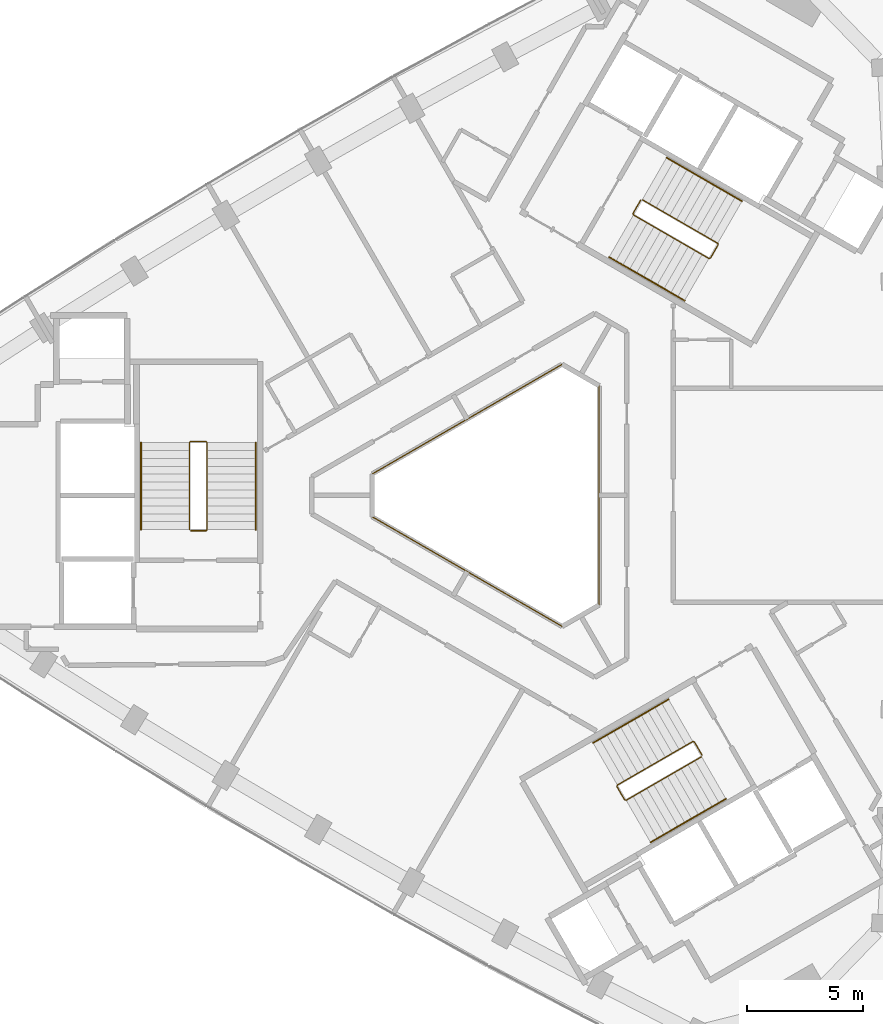
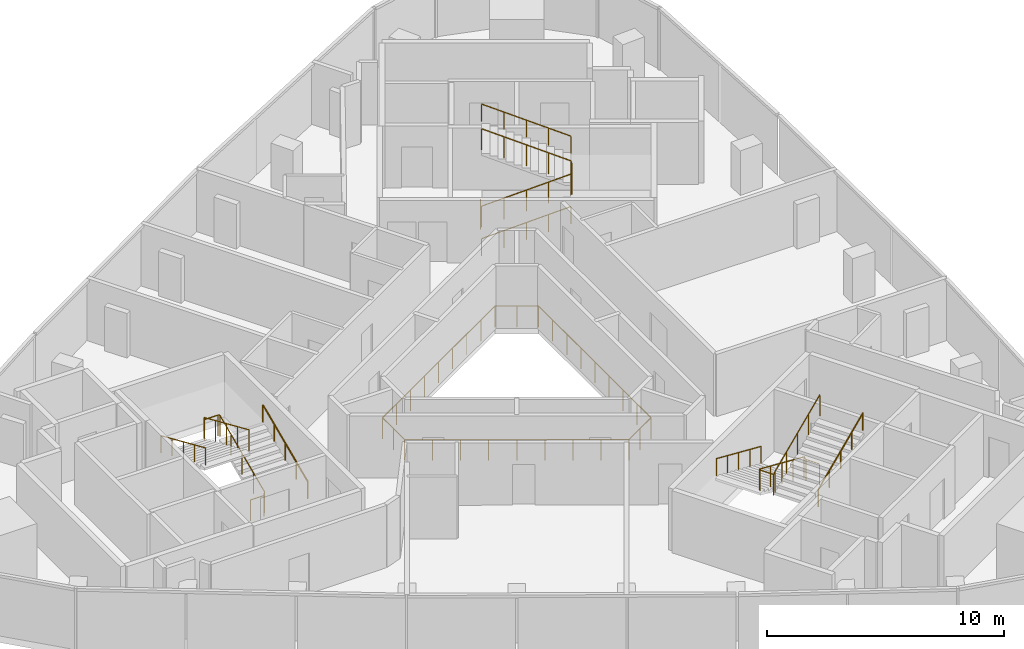
# One storey, part 11 of 11: 10 railings.
"""IFC4 building model written with IfcOpenShell, lengths in metres."""

from ifc_helpers import new_model, si_unit, direction, frame, origin, origin_2d, place, context, subcontext, project, spatial, circle, extrude, material, type_object, element, save


model = new_model("IFC4")

# Units and contexts
model_context = context("Model", 3, precision=1e-05, world=origin(), true_north=direction((0.0, 1.0)))
body_context = subcontext(model_context, "Body", "Model", "MODEL_VIEW")
ifc_project = project(units=[si_unit("LENGTHUNIT", "METRE"), si_unit("AREAUNIT", "SQUARE_METRE"), si_unit("VOLUMEUNIT", "CUBIC_METRE"), si_unit("PLANEANGLEUNIT", "RADIAN"), si_unit("MASSUNIT", "GRAM", prefix="KILO")], contexts=[model_context])

# Site, building, storey
site_placement = place(None, origin())
site = spatial("IfcSite", under=ifc_project, at=site_placement, CompositionType="ELEMENT")
building_placement = place(site_placement, origin())
building = spatial("IfcBuilding", under=site, at=building_placement, Name="Tamra Quay Hotel Tower", CompositionType="ELEMENT")
storey_placement = place(building_placement, frame((0.0, 0.0, 253.800048828125)))
storey = spatial("IfcBuildingStorey", under=building, at=storey_placement, Name="L64", CompositionType="ELEMENT", Elevation=253.800048828125)

# Railings
ifc_material_1 = material(Name="Guard atrium edge 1100")
railing_type_1 = type_object("IfcRailingType", Name="Guard atrium edge 1100", PredefinedType="GUARDRAIL", material=ifc_material_1)
railing_1_placement = place(storey_placement, frame((3.800048828125, -4.73388671875, 0.0)))
element("IfcRailing", 1, at=railing_1_placement, inside=storey, type_object=railing_type_1, Name="G-A", PredefinedType="GUARDRAIL", context=body_context, shape_type="SweptSolid", body=[
    extrude(circle(Radius=0.02392578125, at=origin_2d()), frame((0.0, 0.0, 1.076171875), z_axis=(-0.865965533559, -0.500103683937, 0.0), x_axis=(0.500103683937, -0.865965533559, 0.0)), (0.0, 0.0, 1.0), 1.84765625),
    extrude(circle(Radius=0.02392578125, at=origin_2d()), frame((-1.60009765625, -0.924072265625, 1.076171875), z_axis=(-0.86604174356, 0.49997169761, 0.0), x_axis=(-0.49997169761, -0.86604174356, 0.0)), (0.0, 0.0, 1.0), 9.46826171875),
    extrude(circle(Radius=0.02392578125, at=origin_2d()), frame((-9.800048828125, 3.809814453125, 1.076171875), z_axis=(0.0, 1.0, 0.0), x_axis=(-1.0, 0.0, 0.0)), (0.0, 0.0, 1.0), 1.84814453125),
    extrude(circle(Radius=0.02392578125, at=origin_2d()), frame((-9.800048828125, 5.657958984375, 1.076171875), z_axis=(0.86604174356, 0.49997169761, 0.0), x_axis=(-0.49997169761, 0.86604174356, 0.0)), (0.0, 0.0, 1.0), 9.46826171875),
    extrude(circle(Radius=0.02392578125, at=origin_2d()), frame((-1.60009765625, 10.391845703125, 1.076171875), z_axis=(0.865965533559, -0.500103683937, 0.0), x_axis=(0.500103683937, 0.865965533559, 0.0)), (0.0, 0.0, 1.0), 1.84765625),
    extrude(circle(Radius=0.02392578125, at=origin_2d()), frame((0.0, 9.4677734375, 1.076171875), z_axis=(0.0, -1.0, 0.0), x_axis=(1.0, 0.0, 0.0)), (0.0, 0.0, 1.0), 9.4677734375),
    extrude(circle(Radius=0.02099609375, at=origin_2d()), origin(), (0.0, 0.0, 1.0), 1.052001953125),
    extrude(circle(Radius=0.02099609375, at=origin_2d()), frame((-0.800048828125, -0.4619140625, 0.0)), (0.0, 0.0, 1.0), 1.052001953125),
    extrude(circle(Radius=0.02099609375, at=origin_2d()), frame((-1.60009765625, -0.924072265625, 0.0)), (0.0, 0.0, 1.0), 1.052001953125),
    extrude(circle(Radius=0.02099609375, at=origin_2d()), frame((-2.625, -0.332275390625, 0.0)), (0.0, 0.0, 1.0), 1.052001953125),
    extrude(circle(Radius=0.02099609375, at=origin_2d()), frame((-3.650146484375, 0.25927734375, 0.0)), (0.0, 0.0, 1.0), 1.052001953125),
    extrude(circle(Radius=0.02099609375, at=origin_2d()), frame((-4.675048828125, 0.85107421875, 0.0)), (0.0, 0.0, 1.0), 1.052001953125),
    extrude(circle(Radius=0.02099609375, at=origin_2d()), frame((-5.7001953125, 1.44287109375, 0.0)), (0.0, 0.0, 1.0), 1.052001953125),
    extrude(circle(Radius=0.02099609375, at=origin_2d()), frame((-6.72509765625, 2.03466796875, 0.0)), (0.0, 0.0, 1.0), 1.052001953125),
    extrude(circle(Radius=0.02099609375, at=origin_2d()), frame((-7.75, 2.62646484375, 0.0)), (0.0, 0.0, 1.0), 1.052001953125),
    extrude(circle(Radius=0.02099609375, at=origin_2d()), frame((-8.775146484375, 3.218017578125, 0.0)), (0.0, 0.0, 1.0), 1.052001953125),
    extrude(circle(Radius=0.02099609375, at=origin_2d()), frame((-9.800048828125, 3.809814453125, 0.0)), (0.0, 0.0, 1.0), 1.052001953125),
    extrude(circle(Radius=0.02099609375, at=origin_2d()), frame((-9.800048828125, 4.73388671875, 0.0)), (0.0, 0.0, 1.0), 1.052001953125),
    extrude(circle(Radius=0.02099609375, at=origin_2d()), frame((-9.800048828125, 5.657958984375, 0.0)), (0.0, 0.0, 1.0), 1.052001953125),
    extrude(circle(Radius=0.02099609375, at=origin_2d()), frame((-8.775146484375, 6.249755859375, 0.0)), (0.0, 0.0, 1.0), 1.052001953125),
    extrude(circle(Radius=0.02099609375, at=origin_2d()), frame((-7.75, 6.84130859375, 0.0)), (0.0, 0.0, 1.0), 1.052001953125),
    extrude(circle(Radius=0.02099609375, at=origin_2d()), frame((-6.72509765625, 7.43310546875, 0.0)), (0.0, 0.0, 1.0), 1.052001953125),
    extrude(circle(Radius=0.02099609375, at=origin_2d()), frame((-5.7001953125, 8.02490234375, 0.0)), (0.0, 0.0, 1.0), 1.052001953125),
    extrude(circle(Radius=0.02099609375, at=origin_2d()), frame((-4.675048828125, 8.61669921875, 0.0)), (0.0, 0.0, 1.0), 1.052001953125),
    extrude(circle(Radius=0.02099609375, at=origin_2d()), frame((-3.650146484375, 9.20849609375, 0.0)), (0.0, 0.0, 1.0), 1.052001953125),
    extrude(circle(Radius=0.02099609375, at=origin_2d()), frame((-2.625, 9.800048828125, 0.0)), (0.0, 0.0, 1.0), 1.052001953125),
    extrude(circle(Radius=0.02099609375, at=origin_2d()), frame((-1.60009765625, 10.391845703125, 0.0)), (0.0, 0.0, 1.0), 1.052001953125),
    extrude(circle(Radius=0.02099609375, at=origin_2d()), frame((-0.800048828125, 9.9296875, 0.0)), (0.0, 0.0, 1.0), 1.052001953125),
    extrude(circle(Radius=0.02099609375, at=origin_2d()), frame((0.0, 9.4677734375, 0.0)), (0.0, 0.0, 1.0), 1.052001953125),
    extrude(circle(Radius=0.02099609375, at=origin_2d()), frame((0.0, 8.2841796875, 0.0)), (0.0, 0.0, 1.0), 1.052001953125),
    extrude(circle(Radius=0.02099609375, at=origin_2d()), frame((0.0, 7.100830078125, 0.0)), (0.0, 0.0, 1.0), 1.052001953125),
    extrude(circle(Radius=0.02099609375, at=origin_2d()), frame((0.0, 5.91748046875, 0.0)), (0.0, 0.0, 1.0), 1.052001953125),
    extrude(circle(Radius=0.02099609375, at=origin_2d()), frame((0.0, 4.73388671875, 0.0)), (0.0, 0.0, 1.0), 1.052001953125),
    extrude(circle(Radius=0.02099609375, at=origin_2d()), frame((0.0, 3.55029296875, 0.0)), (0.0, 0.0, 1.0), 1.052001953125),
    extrude(circle(Radius=0.02099609375, at=origin_2d()), frame((0.0, 2.366943359375, 0.0)), (0.0, 0.0, 1.0), 1.052001953125),
    extrude(circle(Radius=0.02099609375, at=origin_2d()), frame((0.0, 1.18359375, 0.0)), (0.0, 0.0, 1.0), 1.052001953125),
])
ifc_material_2 = material(Name="Stair guard 1100")
railing_type_2 = type_object("IfcRailingType", Name="Stair guard 1100", PredefinedType="GUARDRAIL", material=ifc_material_2)
railing_2_placement = place(storey_placement, frame((-13.84130859375, -1.530029296875, 0.0)))
element("IfcRailing", 2, at=railing_2_placement, inside=storey, type_object=railing_type_2, Name="GR", PredefinedType="GUARDRAIL", context=body_context, shape_type="SweptSolid", body=[
    extrude(circle(Radius=0.02392578125, at=origin_2d()), frame((0.0, 0.0, 1.076171875), z_axis=(1.0, 0.0, 0.0), x_axis=(0.0, 1.0, 0.0)), (0.0, 0.0, 1.0), 0.658935546875),
    extrude(circle(Radius=0.02392578125, at=origin_2d()), frame((0.658935546875, 0.0, 1.076171875), z_axis=(0.301912943143, 0.301912943143, 0.904266083366), x_axis=(-0.707106781187, 0.707106781187, 0.0)), (0.0, 0.0, 1.0), 0.165771484375),
    extrude(circle(Radius=0.02392578125, at=origin_2d()), frame((0.708984375, 0.050048828125, 1.22607421875), z_axis=(0.0, 0.915773634228, 0.401694723457), x_axis=(-1.0, 0.0, 0.0)), (0.0, 0.0, 1.0), 4.10791015625),
    extrude(circle(Radius=0.02392578125, at=origin_2d()), frame((0.708984375, 3.81201171875, 2.8759765625), z_axis=(-0.708833529934, 0.705375805398, 0.0), x_axis=(-0.705375805398, -0.708833529934, 0.0)), (0.0, 0.0, 1.0), 0.070556640625),
    extrude(circle(Radius=0.02392578125, at=origin_2d()), frame((0.658935546875, 3.86181640625, 2.8759765625), z_axis=(-1.0, 0.0, 0.0), x_axis=(0.0, -1.0, 0.0)), (0.0, 0.0, 1.0), 0.658935546875),
    extrude(circle(Radius=0.02392578125, at=origin_2d()), frame((0.0, 3.86181640625, 2.8759765625), z_axis=(-0.302046947789, -0.300573548044, 0.904667443621), x_axis=(0.705375805398, -0.708833529934, 0.0)), (0.0, 0.0, 1.0), 0.165771484375),
    extrude(circle(Radius=0.02392578125, at=origin_2d()), frame((-0.050048828125, 3.81201171875, 3.02587890625), z_axis=(0.0, -0.915795495799, 0.401644880304), x_axis=(1.0, 0.0, 0.0)), (0.0, 0.0, 1.0), 4.10791015625),
    extrude(circle(Radius=0.02099609375, at=origin_2d()), origin(), (0.0, 0.0, 1.0), 1.052001953125),
    extrude(circle(Radius=0.02099609375, at=origin_2d()), frame((0.658935546875, 0.0, 0.0)), (0.0, 0.0, 1.0), 1.052001953125),
    extrude(circle(Radius=0.02099609375, at=origin_2d()), frame((0.708984375, 0.050048828125, 0.14990234375)), (0.0, 0.0, 1.0), 1.052001953125),
    extrude(circle(Radius=0.02099609375, at=origin_2d()), frame((0.708984375, 0.990478515625, 0.5625)), (0.0, 0.0, 1.0), 1.052001953125),
    extrude(circle(Radius=0.02099609375, at=origin_2d()), frame((0.708984375, 1.93115234375, 0.97509765625)), (0.0, 0.0, 1.0), 1.052001953125),
    extrude(circle(Radius=0.02099609375, at=origin_2d()), frame((0.708984375, 2.87158203125, 1.387451171875)), (0.0, 0.0, 1.0), 1.052001953125),
    extrude(circle(Radius=0.02099609375, at=origin_2d()), frame((0.708984375, 3.81201171875, 1.800048828125)), (0.0, 0.0, 1.0), 1.052001953125),
    extrude(circle(Radius=0.02099609375, at=origin_2d()), frame((0.658935546875, 3.86181640625, 1.800048828125)), (0.0, 0.0, 1.0), 1.052001953125),
    extrude(circle(Radius=0.02099609375, at=origin_2d()), frame((0.0, 3.86181640625, 1.800048828125)), (0.0, 0.0, 1.0), 1.052001953125),
    extrude(circle(Radius=0.02099609375, at=origin_2d()), frame((-0.050048828125, 3.81201171875, 1.949951171875)), (0.0, 0.0, 1.0), 1.052001953125),
    extrude(circle(Radius=0.02099609375, at=origin_2d()), frame((-0.050048828125, 2.87158203125, 2.3623046875)), (0.0, 0.0, 1.0), 1.052001953125),
    extrude(circle(Radius=0.02099609375, at=origin_2d()), frame((-0.050048828125, 1.93115234375, 2.77490234375)), (0.0, 0.0, 1.0), 1.052001953125),
    extrude(circle(Radius=0.02099609375, at=origin_2d()), frame((-0.050048828125, 0.990478515625, 3.1875)), (0.0, 0.0, 1.0), 1.052001953125),
    extrude(circle(Radius=0.02099609375, at=origin_2d()), frame((-0.050048828125, 0.050048828125, 3.599853515625)), (0.0, 0.0, 1.0), 1.052001953125),
])
railing_3_placement = place(storey_placement, frame((5.595458984375, 12.751953125, 0.0)))
element("IfcRailing", 3, at=railing_3_placement, inside=storey, type_object=railing_type_2, Name="GR", PredefinedType="GUARDRAIL", context=body_context, shape_type="SweptSolid", body=[
    extrude(circle(Radius=0.02392578125, at=origin_2d()), frame((0.0, 0.0, 1.076171875), z_axis=(-0.499765215335, -0.866160914346, 0.0), x_axis=(0.866160914346, -0.499765215335, 0.0)), (0.0, 0.0, 1.0), 0.658935546875),
    extrude(circle(Radius=0.02392578125, at=origin_2d()), frame((-0.329345703125, -0.57080078125, 1.076171875), z_axis=(0.110525977783, -0.411156637351, 0.904839338113), x_axis=(0.965715946433, 0.259601060869, 0.0)), (0.0, 0.0, 1.0), 0.165771484375),
    extrude(circle(Radius=0.02392578125, at=origin_2d()), frame((-0.31103515625, -0.638916015625, 1.22607421875), z_axis=(0.79305953016, -0.457922937641, 0.401700342053), x_axis=(0.500040788363, 0.866001853331, 0.0)), (0.0, 0.0, 1.0), 4.10791015625),
    extrude(circle(Radius=0.02392578125, at=origin_2d()), frame((2.94677734375, -2.52001953125, 2.8759765625), z_axis=(0.965948051503, 0.258736085224, 0.0), x_axis=(-0.258736085224, 0.965948051503, 0.0)), (0.0, 0.0, 1.0), 0.07080078125),
    extrude(circle(Radius=0.02392578125, at=origin_2d()), frame((3.01513671875, -2.501708984375, 2.8759765625), z_axis=(0.500043078269, 0.866000531106, 0.0), x_axis=(-0.866000531106, 0.500043078269, 0.0)), (0.0, 0.0, 1.0), 0.6591796875),
    extrude(circle(Radius=0.02392578125, at=origin_2d()), frame((3.3447265625, -1.930908203125, 2.8759765625), z_axis=(-0.110525977783, 0.411156637351, 0.904839338113), x_axis=(-0.965715946433, -0.259601060869, 0.0)), (0.0, 0.0, 1.0), 0.165771484375),
    extrude(circle(Radius=0.02392578125, at=origin_2d()), frame((3.326416015625, -1.86279296875, 3.02587890625), z_axis=(-0.793100512587, 0.457912285461, 0.401631567183), x_axis=(-0.500012686397, -0.866018079166, 0.0)), (0.0, 0.0, 1.0), 4.10791015625),
    extrude(circle(Radius=0.02099609375, at=origin_2d()), origin(), (0.0, 0.0, 1.0), 1.052001953125),
    extrude(circle(Radius=0.02099609375, at=origin_2d()), frame((-0.329345703125, -0.57080078125, 0.0)), (0.0, 0.0, 1.0), 1.052001953125),
    extrude(circle(Radius=0.02099609375, at=origin_2d()), frame((-0.31103515625, -0.638916015625, 0.14990234375)), (0.0, 0.0, 1.0), 1.052001953125),
    extrude(circle(Radius=0.02099609375, at=origin_2d()), frame((0.50341796875, -1.109130859375, 0.5625)), (0.0, 0.0, 1.0), 1.052001953125),
    extrude(circle(Radius=0.02099609375, at=origin_2d()), frame((1.31787109375, -1.57958984375, 0.97509765625)), (0.0, 0.0, 1.0), 1.052001953125),
    extrude(circle(Radius=0.02099609375, at=origin_2d()), frame((2.13232421875, -2.0498046875, 1.387451171875)), (0.0, 0.0, 1.0), 1.052001953125),
    extrude(circle(Radius=0.02099609375, at=origin_2d()), frame((2.94677734375, -2.52001953125, 1.800048828125)), (0.0, 0.0, 1.0), 1.052001953125),
    extrude(circle(Radius=0.02099609375, at=origin_2d()), frame((3.01513671875, -2.501708984375, 1.800048828125)), (0.0, 0.0, 1.0), 1.052001953125),
    extrude(circle(Radius=0.02099609375, at=origin_2d()), frame((3.3447265625, -1.930908203125, 1.800048828125)), (0.0, 0.0, 1.0), 1.052001953125),
    extrude(circle(Radius=0.02099609375, at=origin_2d()), frame((3.326416015625, -1.86279296875, 1.949951171875)), (0.0, 0.0, 1.0), 1.052001953125),
    extrude(circle(Radius=0.02099609375, at=origin_2d()), frame((2.511962890625, -1.392578125, 2.3623046875)), (0.0, 0.0, 1.0), 1.052001953125),
    extrude(circle(Radius=0.02099609375, at=origin_2d()), frame((1.697265625, -0.92236328125, 2.77490234375)), (0.0, 0.0, 1.0), 1.052001953125),
    extrude(circle(Radius=0.02099609375, at=origin_2d()), frame((0.8828125, -0.451904296875, 3.1875)), (0.0, 0.0, 1.0), 1.052001953125),
    extrude(circle(Radius=0.02099609375, at=origin_2d()), frame((0.068359375, 0.018310546875, 3.599853515625)), (0.0, 0.0, 1.0), 1.052001953125),
])
railing_4_placement = place(storey_placement, frame((8.245849609375, -11.221923828125, 0.0)))
element("IfcRailing", 4, at=railing_4_placement, inside=storey, type_object=railing_type_2, Name="GR", PredefinedType="GUARDRAIL", context=body_context, shape_type="SweptSolid", body=[
    extrude(circle(Radius=0.02392578125, at=origin_2d()), frame((0.0, 0.0, 1.076171875), z_axis=(-0.500043078269, 0.866000531106, 0.0), x_axis=(-0.866000531106, -0.500043078269, 0.0)), (0.0, 0.0, 1.0), 0.6591796875),
    extrude(circle(Radius=0.02392578125, at=origin_2d()), frame((-0.32958984375, 0.57080078125, 1.076171875), z_axis=(-0.41238007866, 0.110458949641, 0.904290601062), x_axis=(-0.258736085224, -0.965948051503, 0.0)), (0.0, 0.0, 1.0), 0.165771484375),
    extrude(circle(Radius=0.02392578125, at=origin_2d()), frame((-0.39794921875, 0.589111328125, 1.22607421875), z_axis=(-0.793081581205, -0.457901355053, 0.401681409319), x_axis=(0.500012686397, -0.866018079166, 0.0)), (0.0, 0.0, 1.0), 4.108154296875),
    extrude(circle(Radius=0.02392578125, at=origin_2d()), frame((-3.656005859375, -1.2919921875, 2.8759765625), z_axis=(-0.256368644879, -0.966579080015, 0.0), x_axis=(0.966579080015, -0.256368644879, 0.0)), (0.0, 0.0, 1.0), 0.070556640625),
    extrude(circle(Radius=0.02392578125, at=origin_2d()), frame((-3.674072265625, -1.360107421875, 2.8759765625), z_axis=(0.499765215335, -0.866160914346, 0.0), x_axis=(0.866160914346, 0.499765215335, 0.0)), (0.0, 0.0, 1.0), 0.658935546875),
    extrude(circle(Radius=0.02392578125, at=origin_2d()), frame((-3.3447265625, -1.930908203125, 2.8759765625), z_axis=(0.41238007866, -0.110458949641, 0.904290601062), x_axis=(0.258736085224, 0.965948051503, 0.0)), (0.0, 0.0, 1.0), 0.165771484375),
    extrude(circle(Radius=0.02392578125, at=origin_2d()), frame((-3.2763671875, -1.94921875, 3.02587890625), z_axis=(0.793100512587, 0.457912285461, 0.401631567183), x_axis=(-0.500012686397, 0.866018079166, 0.0)), (0.0, 0.0, 1.0), 4.10791015625),
    extrude(circle(Radius=0.02099609375, at=origin_2d()), origin(), (0.0, 0.0, 1.0), 1.052001953125),
    extrude(circle(Radius=0.02099609375, at=origin_2d()), frame((-0.32958984375, 0.57080078125, 0.0)), (0.0, 0.0, 1.0), 1.052001953125),
    extrude(circle(Radius=0.02099609375, at=origin_2d()), frame((-0.39794921875, 0.589111328125, 0.14990234375)), (0.0, 0.0, 1.0), 1.052001953125),
    extrude(circle(Radius=0.02099609375, at=origin_2d()), frame((-1.21240234375, 0.118896484375, 0.5625)), (0.0, 0.0, 1.0), 1.052001953125),
    extrude(circle(Radius=0.02099609375, at=origin_2d()), frame((-2.02685546875, -0.3515625, 0.97509765625)), (0.0, 0.0, 1.0), 1.052001953125),
    extrude(circle(Radius=0.02099609375, at=origin_2d()), frame((-2.841552734375, -0.82177734375, 1.387451171875)), (0.0, 0.0, 1.0), 1.052001953125),
    extrude(circle(Radius=0.02099609375, at=origin_2d()), frame((-3.656005859375, -1.2919921875, 1.800048828125)), (0.0, 0.0, 1.0), 1.052001953125),
    extrude(circle(Radius=0.02099609375, at=origin_2d()), frame((-3.674072265625, -1.360107421875, 1.800048828125)), (0.0, 0.0, 1.0), 1.052001953125),
    extrude(circle(Radius=0.02099609375, at=origin_2d()), frame((-3.3447265625, -1.930908203125, 1.800048828125)), (0.0, 0.0, 1.0), 1.052001953125),
    extrude(circle(Radius=0.02099609375, at=origin_2d()), frame((-3.2763671875, -1.94921875, 1.949951171875)), (0.0, 0.0, 1.0), 1.052001953125),
    extrude(circle(Radius=0.02099609375, at=origin_2d()), frame((-2.4619140625, -1.47900390625, 2.3623046875)), (0.0, 0.0, 1.0), 1.052001953125),
    extrude(circle(Radius=0.02099609375, at=origin_2d()), frame((-1.6474609375, -1.0087890625, 2.77490234375)), (0.0, 0.0, 1.0), 1.052001953125),
    extrude(circle(Radius=0.02099609375, at=origin_2d()), frame((-0.832763671875, -0.538330078125, 3.1875)), (0.0, 0.0, 1.0), 1.052001953125),
    extrude(circle(Radius=0.02099609375, at=origin_2d()), frame((-0.018310546875, -0.068115234375, 3.599853515625)), (0.0, 0.0, 1.0), 1.052001953125),
])
ifc_material_3 = material(Name="Stair handrail 900")
railing_type_3 = type_object("IfcRailingType", Name="Stair handrail 900", PredefinedType="HANDRAIL", material=ifc_material_3)
railing_5_placement = place(storey_placement, frame((-11.0322265625, -1.47998046875, 0.14990234375)))
element("IfcRailing", 5, at=railing_5_placement, inside=storey, type_object=railing_type_3, Name="HR", PredefinedType="HANDRAIL", context=body_context, shape_type="SweptSolid", body=[
    extrude(circle(Radius=0.02392578125, at=origin_2d()), frame((0.0, 0.0, 0.8759765625), z_axis=(0.0, 0.915773634228, 0.401694723457), x_axis=(-1.0, 0.0, 0.0)), (0.0, 0.0, 1.0), 4.10791015625),
    extrude(circle(Radius=0.02099609375, at=origin_2d()), origin(), (0.0, 0.0, 1.0), 0.851806640625),
    extrude(circle(Radius=0.02099609375, at=origin_2d()), frame((0.0, 0.9404296875, 0.41259765625)), (0.0, 0.0, 1.0), 0.851806640625),
    extrude(circle(Radius=0.02099609375, at=origin_2d()), frame((0.0, 1.880859375, 0.8251953125)), (0.0, 0.0, 1.0), 0.851806640625),
    extrude(circle(Radius=0.02099609375, at=origin_2d()), frame((0.0, 2.821533203125, 1.237548828125)), (0.0, 0.0, 1.0), 0.851806640625),
    extrude(circle(Radius=0.02099609375, at=origin_2d()), frame((0.0, 3.761962890625, 1.650146484375)), (0.0, 0.0, 1.0), 0.851806640625),
])
railing_6_placement = place(storey_placement, frame((-15.9912109375, 2.281982421875, 1.949951171875)))
element("IfcRailing", 6, at=railing_6_placement, inside=storey, type_object=railing_type_3, Name="HR", PredefinedType="HANDRAIL", context=body_context, shape_type="SweptSolid", body=[
    extrude(circle(Radius=0.02392578125, at=origin_2d()), frame((0.0, 0.0, 0.8759765625), z_axis=(0.0, -0.915795495799, 0.401644880304), x_axis=(1.0, 0.0, 0.0)), (0.0, 0.0, 1.0), 4.10791015625),
    extrude(circle(Radius=0.02099609375, at=origin_2d()), origin(), (0.0, 0.0, 1.0), 0.851806640625),
    extrude(circle(Radius=0.02099609375, at=origin_2d()), frame((0.0, -0.9404296875, 0.41259765625)), (0.0, 0.0, 1.0), 0.851806640625),
    extrude(circle(Radius=0.02099609375, at=origin_2d()), frame((0.0, -1.880859375, 0.824951171875)), (0.0, 0.0, 1.0), 0.851806640625),
    extrude(circle(Radius=0.02099609375, at=origin_2d()), frame((0.0, -2.821533203125, 1.2373046875)), (0.0, 0.0, 1.0), 0.851806640625),
    extrude(circle(Radius=0.02099609375, at=origin_2d()), frame((0.0, -3.761962890625, 1.64990234375)), (0.0, 0.0, 1.0), 0.851806640625),
])
railing_7_placement = place(storey_placement, frame((4.234375, 10.294189453125, 0.14990234375)))
element("IfcRailing", 7, at=railing_7_placement, inside=storey, type_object=railing_type_3, Name="HR", PredefinedType="HANDRAIL", context=body_context, shape_type="SweptSolid", body=[
    extrude(circle(Radius=0.02392578125, at=origin_2d()), frame((0.0, 0.0, 0.8759765625), z_axis=(0.793103162556, -0.457854384738, 0.401692339881), x_axis=(0.499964013922, 0.86604617936, 0.0)), (0.0, 0.0, 1.0), 4.10791015625),
    extrude(circle(Radius=0.02099609375, at=origin_2d()), origin(), (0.0, 0.0, 1.0), 0.851806640625),
    extrude(circle(Radius=0.02099609375, at=origin_2d()), frame((0.814453125, -0.47021484375, 0.41259765625)), (0.0, 0.0, 1.0), 0.851806640625),
    extrude(circle(Radius=0.02099609375, at=origin_2d()), frame((1.62890625, -0.9404296875, 0.8251953125)), (0.0, 0.0, 1.0), 0.851806640625),
    extrude(circle(Radius=0.02099609375, at=origin_2d()), frame((2.443603515625, -1.41064453125, 1.237548828125)), (0.0, 0.0, 1.0), 0.851806640625),
    extrude(circle(Radius=0.02099609375, at=origin_2d()), frame((3.258056640625, -1.880859375, 1.650146484375)), (0.0, 0.0, 1.0), 0.851806640625),
])
railing_8_placement = place(storey_placement, frame((9.971923828125, 12.7080078125, 1.949951171875)))
element("IfcRailing", 8, at=railing_8_placement, inside=storey, type_object=railing_type_3, Name="HR", PredefinedType="HANDRAIL", context=body_context, shape_type="SweptSolid", body=[
    extrude(circle(Radius=0.02392578125, at=origin_2d()), frame((0.0, 0.0, 0.8759765625), z_axis=(-0.793122095483, 0.45786531462, 0.401642496911), x_axis=(-0.499964013922, -0.86604617936, 0.0)), (0.0, 0.0, 1.0), 4.10791015625),
    extrude(circle(Radius=0.02099609375, at=origin_2d()), origin(), (0.0, 0.0, 1.0), 0.851806640625),
    extrude(circle(Radius=0.02099609375, at=origin_2d()), frame((-0.814453125, 0.47021484375, 0.41259765625)), (0.0, 0.0, 1.0), 0.851806640625),
    extrude(circle(Radius=0.02099609375, at=origin_2d()), frame((-1.62890625, 0.9404296875, 0.824951171875)), (0.0, 0.0, 1.0), 0.851806640625),
    extrude(circle(Radius=0.02099609375, at=origin_2d()), frame((-2.443603515625, 1.41064453125, 1.2373046875)), (0.0, 0.0, 1.0), 0.851806640625),
    extrude(circle(Radius=0.02099609375, at=origin_2d()), frame((-3.258056640625, 1.880859375, 1.64990234375)), (0.0, 0.0, 1.0), 0.851806640625),
])
railing_9_placement = place(storey_placement, frame((6.7978515625, -8.814208984375, 0.14990234375)))
element("IfcRailing", 9, at=railing_9_placement, inside=storey, type_object=railing_type_3, Name="HR", PredefinedType="HANDRAIL", context=body_context, shape_type="SweptSolid", body=[
    extrude(circle(Radius=0.02392578125, at=origin_2d()), frame((0.0, 0.0, 0.8759765625), z_axis=(-0.793081112945, -0.457875966286, 0.40171127416), x_axis=(0.499992114976, -0.866029956157, 0.0)), (0.0, 0.0, 1.0), 4.10791015625),
    extrude(circle(Radius=0.02099609375, at=origin_2d()), origin(), (0.0, 0.0, 1.0), 0.851806640625),
    extrude(circle(Radius=0.02099609375, at=origin_2d()), frame((-0.814453125, -0.47021484375, 0.41259765625)), (0.0, 0.0, 1.0), 0.851806640625),
    extrude(circle(Radius=0.02099609375, at=origin_2d()), frame((-1.62890625, -0.9404296875, 0.8251953125)), (0.0, 0.0, 1.0), 0.851806640625),
    extrude(circle(Radius=0.02099609375, at=origin_2d()), frame((-2.443359375, -1.41064453125, 1.237548828125)), (0.0, 0.0, 1.0), 0.851806640625),
    extrude(circle(Radius=0.02099609375, at=origin_2d()), frame((-3.2578125, -1.880859375, 1.650146484375)), (0.0, 0.0, 1.0), 0.851806640625),
])
railing_10_placement = place(storey_placement, frame((6.01953125, -14.98974609375, 1.949951171875)))
element("IfcRailing", 10, at=railing_10_placement, inside=storey, type_object=railing_type_3, Name="HR", PredefinedType="HANDRAIL", context=body_context, shape_type="SweptSolid", body=[
    extrude(circle(Radius=0.02392578125, at=origin_2d()), frame((0.0, 0.0, 0.8759765625), z_axis=(0.79310004713, 0.457886897714, 0.401661429744), x_axis=(-0.499992114976, 0.866029956157, 0.0)), (0.0, 0.0, 1.0), 4.107666015625),
    extrude(circle(Radius=0.02099609375, at=origin_2d()), origin(), (0.0, 0.0, 1.0), 0.851806640625),
    extrude(circle(Radius=0.02099609375, at=origin_2d()), frame((0.814453125, 0.47021484375, 0.41259765625)), (0.0, 0.0, 1.0), 0.851806640625),
    extrude(circle(Radius=0.02099609375, at=origin_2d()), frame((1.62890625, 0.9404296875, 0.824951171875)), (0.0, 0.0, 1.0), 0.851806640625),
    extrude(circle(Radius=0.02099609375, at=origin_2d()), frame((2.443359375, 1.41064453125, 1.2373046875)), (0.0, 0.0, 1.0), 0.851806640625),
    extrude(circle(Radius=0.02099609375, at=origin_2d()), frame((3.2578125, 1.880859375, 1.64990234375)), (0.0, 0.0, 1.0), 0.851806640625),
])

save(model, "model.ifc")
